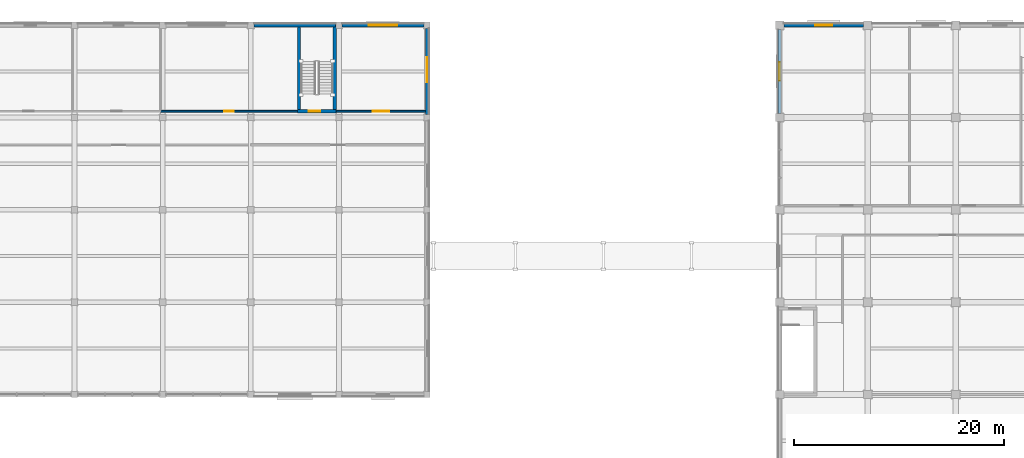
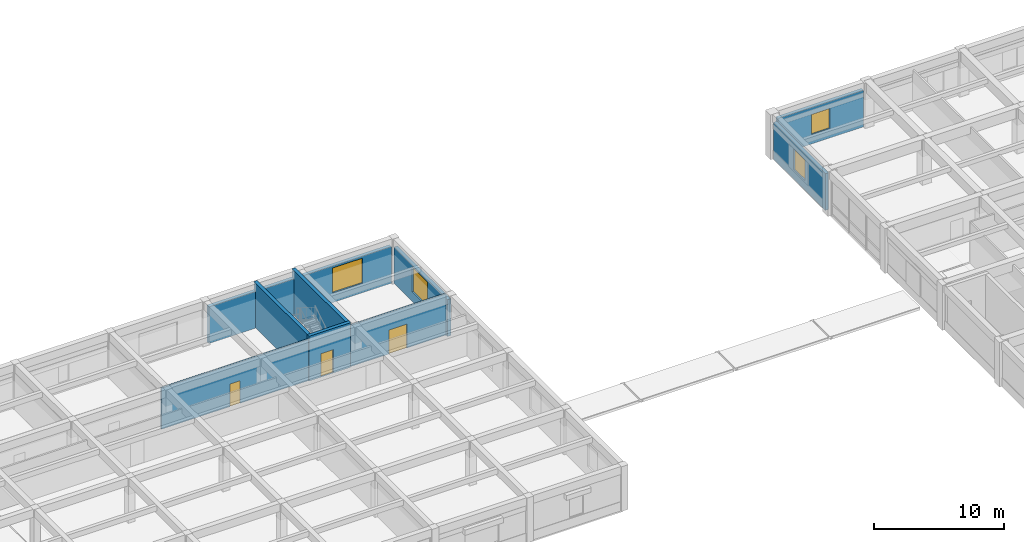
# One storey, part 34 of 46: 10 walls, 4 windows, 3 doors, 7 openings.
"""IFC4 building model written with IfcOpenShell, lengths in metres."""

from ifc_helpers import new_model, si_unit, direction, frame, frame_2d, origin, place, context, subcontext, project, spatial, rectangle, extrude, material, layer, layer_set, type_object, element, fill, save


model = new_model("IFC4")

# Units and contexts
model_context = context("Model", 3, precision=1e-05, world=origin(), true_north=direction((0.0, 1.0)))
body_context = subcontext(model_context, "Body", "Model", "MODEL_VIEW")
ifc_project = project(units=[si_unit("LENGTHUNIT", "METRE"), si_unit("AREAUNIT", "SQUARE_METRE"), si_unit("VOLUMEUNIT", "CUBIC_METRE"), si_unit("PLANEANGLEUNIT", "RADIAN"), si_unit("MASSUNIT", "GRAM", prefix="KILO")], contexts=[model_context])

# Site, building, storey
site_placement = place(None, origin())
site = spatial("IfcSite", under=ifc_project, at=site_placement, CompositionType="ELEMENT")
building_placement = place(site_placement, origin())
building = spatial("IfcBuilding", under=site, at=building_placement, Name="Kemercrest Conservatory and Botanical Centre", CompositionType="ELEMENT")
storey_placement = place(building_placement, frame((0.0, 0.0, 9.0)))
storey = spatial("IfcBuildingStorey", under=building, at=storey_placement, Name="L02", CompositionType="ELEMENT", Elevation=9.0)

# Wall
ifc_material_1 = material(Name="Precast concrete C40/50", Category="concrete")
ifc_layer_1 = layer(ifc_material_1, 0.300048828125)
ifc_layer_set_1 = layer_set([ifc_layer_1], Name="Precast concrete C40/50")
wall_type_1 = type_object("IfcWallType", Name="CW-EXT300", PredefinedType="SHEAR", material=ifc_layer_set_1)
wall_1_placement = place(storey_placement, frame((83.2900390625, 122.39990234375, 0.0), z_axis=(0.0, 0.0, 1.0), x_axis=(-1.0, 0.0, 0.0)))
element("IfcWall", 1, at=wall_1_placement, inside=storey, type_object=wall_type_1, Name="Exterior stair-core shear wall CW-EXT300 (WAL:L02:EXT-126)", PredefinedType="SHEAR", context=body_context, shape_type="SweptSolid", body=[
    extrude(rectangle(XDim=7.780029296875, YDim=0.300048828125, at=frame_2d((3.89013671875, 0.0))), origin(), (0.0, 0.0, 1.0), 3.449951171875),
])

# Wall, opening, door
ifc_material_2 = material(Name="Concrete C50/60", Category="concrete")
ifc_layer_2 = layer(ifc_material_2, 0.300048828125)
ifc_layer_set_2 = layer_set([ifc_layer_2], Name="Concrete C50/60")
wall_type_2 = type_object("IfcWallType", Name="CW-STAIR", PredefinedType="SHEAR", material=ifc_layer_set_2)
wall_2_placement = place(storey_placement, frame((79.64990234375, 114.199951171875, 0.0), z_axis=(0.0, 0.0, 1.0), x_axis=(1.0, 0.0, 0.0)))
wall_2 = element("IfcWall", 2, at=wall_2_placement, inside=storey, type_object=wall_type_2, Name="Stair core ST-V3B shear wall S", PredefinedType="SHEAR", context=body_context, shape_type="SweptSolid", body=[
    extrude(rectangle(XDim=3.7001953125, YDim=0.300048828125, at=frame_2d((1.85009765625, 0.0))), origin(), (0.0, 0.0, 1.0), 4.199951171875),
])
opening_1_placement = place(wall_2_placement, frame((1.050048828125, 0.0, 0.0)))
opening_1 = element("IfcOpeningElement", 3, at=opening_1_placement, cuts=wall_2, Name="Opening D023", PredefinedType="OPENING", context=body_context, shape_type="SweptSolid", body=[
    extrude(rectangle(XDim=1.10009765625, YDim=2.199951171875, at=frame_2d((0.550048828125, 1.10009765625))), frame((0.0, 0.16015625, 0.0), z_axis=(0.0, -1.0, 0.0), x_axis=(1.0, 0.0, 0.0)), (0.0, 0.0, 1.0), 0.320068359375),
])
ifc_material_3 = material(Name="Powder-coated galvanized steel and fire-rated vision glass", Category="steel")
door_type_1 = type_object("IfcDoorType", Name="DT-FD90", OperationType="NOTDEFINED", PredefinedType="DOOR", material=ifc_material_3)
door_1_placement = place(opening_1_placement, origin())
door_1 = element("IfcDoor", 4, at=door_1_placement, inside=storey, type_object=door_type_1, Name="Exit stair ST-V3B fire door D023", OperationType="SINGLE_SWING_LEFT", OverallHeight=2.199951171875, OverallWidth=1.10009765625, PredefinedType="DOOR", context=body_context, shape_type="SweptSolid", body=[
    extrude(rectangle(XDim=1.10009765625, YDim=2.199951171875, at=frame_2d((0.550048828125, 1.10009765625))), frame((0.0, 0.02490234375, 0.0), z_axis=(0.0, -1.0, 0.0), x_axis=(1.0, 0.0, 0.0)), (0.0, 0.0, 1.0), 0.050048828125),
])
fill(opening_1, door_1)

# Walls
for number, where, z_axis, x_axis, name in (
    (5, (79.800048828125, 114.050048828125, 0.0), (0.0, 0.0, 1.0), (0.0, 1.0, 0.0), "Stair core ST-V3B shear wall W"),
    (6, (83.199951171875, 114.050048828125, 0.0), (0.0, 0.0, 1.0), (0.0, 1.0, 0.0), "Stair core ST-V3B shear wall E"),
):
    element("IfcWall", number, at=place(storey_placement, frame(where, z_axis=z_axis, x_axis=x_axis)), inside=storey, type_object=wall_type_2, Name=name, PredefinedType="SHEAR", context=body_context, shape_type="SweptSolid", body=[
        extrude(rectangle(XDim=8.5, YDim=0.300048828125, at=frame_2d((4.25, 0.0))), origin(), (0.0, 0.0, 1.0), 4.199951171875),
    ])

# Wall, opening, window
ifc_layer_3 = layer(ifc_material_1, 0.300048828125)
ifc_layer_set_3 = layer_set([ifc_layer_3], Name="Precast concrete C40/50")
wall_type_3 = type_object("IfcWallType", Name="W-EXT300", PredefinedType="SOLIDWALL", material=ifc_layer_set_3)
wall_3_placement = place(storey_placement, frame((92.0, 113.909912109375, 0.0), z_axis=(0.0, 0.0, 1.0), x_axis=(0.0, 1.0, 0.0)))
wall_3 = element("IfcWall", 7, at=wall_3_placement, inside=storey, type_object=wall_type_3, Name="Exterior almasik wall W-EXT300 (WAL:L02:EXT-124)", PredefinedType="SOLIDWALL", context=body_context, shape_type="SweptSolid", body=[
    extrude(rectangle(XDim=8.18017578125, YDim=0.300048828125, at=frame_2d((4.090087890625, 0.0))), origin(), (0.0, 0.0, 1.0), 3.449951171875),
])
opening_2_placement = place(wall_3_placement, frame((3.034912109375, 0.0, 0.89990234375)))
opening_2 = element("IfcOpeningElement", 8, at=opening_2_placement, cuts=wall_3, Name="Opening WT-17", PredefinedType="OPENING", context=body_context, shape_type="SweptSolid", body=[
    extrude(rectangle(XDim=2.39990234375, YDim=2.35009765625, at=frame_2d((1.199951171875, 1.175048828125))), frame((0.0, 0.16015625, 0.0), z_axis=(0.0, -1.0, 0.0), x_axis=(1.0, 0.0, 0.0)), (0.0, 0.0, 1.0), 0.320068359375),
])
ifc_material_4 = material(Name="Thermally broken bronze-anodized aluminium and triple glazing", Category="aluminium")
window_type_1 = type_object("IfcWindowType", Name="WT-17", PartitioningType="SINGLE_PANEL", PredefinedType="WINDOW", material=ifc_material_4)
window_1_placement = place(opening_2_placement, origin())
window_1 = element("IfcWindow", 9, at=window_1_placement, inside=storey, type_object=window_type_1, Name="Exterior window WT-17 (WIN:L02:EXT-124)", OverallHeight=2.35009765625, OverallWidth=2.39990234375, PartitioningType="SINGLE_PANEL", PredefinedType="WINDOW", context=body_context, shape_type="SweptSolid", body=[
    extrude(rectangle(XDim=2.39990234375, YDim=2.35009765625, at=frame_2d((1.199951171875, 1.175048828125))), frame((0.0, 0.030029296875, 0.0), z_axis=(0.0, -1.0, 0.0), x_axis=(1.0, 0.0, 0.0)), (0.0, 0.0, 1.0), 0.06005859375),
])
fill(opening_2, window_1)

wall_4_placement = place(storey_placement, frame((91.68994140625, 122.39990234375, 0.0), z_axis=(0.0, 0.0, 1.0), x_axis=(-1.0, 0.0, 0.0)))
wall_4 = element("IfcWall", 10, at=wall_4_placement, inside=storey, type_object=wall_type_3, Name="Exterior almasik wall W-EXT300 (WAL:L02:EXT-125)", PredefinedType="SOLIDWALL", context=body_context, shape_type="SweptSolid", body=[
    extrude(rectangle(XDim=7.780029296875, YDim=0.300048828125, at=frame_2d((3.89013671875, 0.0))), origin(), (0.0, 0.0, 1.0), 3.449951171875),
])
opening_3_placement = place(wall_4_placement, frame((2.5400390625, 0.0, 0.89990234375)))
opening_3 = element("IfcOpeningElement", 11, at=opening_3_placement, cuts=wall_4, Name="Opening WT-18", PredefinedType="OPENING", context=body_context, shape_type="SweptSolid", body=[
    extrude(rectangle(XDim=2.699951171875, YDim=2.35009765625, at=frame_2d((1.35009765625, 1.175048828125))), frame((0.0, 0.16015625, 0.0), z_axis=(0.0, -1.0, 0.0), x_axis=(1.0, 0.0, 0.0)), (0.0, 0.0, 1.0), 0.320068359375),
])
window_type_2 = type_object("IfcWindowType", Name="WT-18", PartitioningType="SINGLE_PANEL", PredefinedType="WINDOW", material=ifc_material_4)
window_2_placement = place(opening_3_placement, origin())
window_2 = element("IfcWindow", 12, at=window_2_placement, inside=storey, type_object=window_type_2, Name="Exterior window WT-18 (WIN:L02:EXT-125)", OverallHeight=2.35009765625, OverallWidth=2.699951171875, PartitioningType="SINGLE_PANEL", PredefinedType="WINDOW", context=body_context, shape_type="SweptSolid", body=[
    extrude(rectangle(XDim=2.699951171875, YDim=2.35009765625, at=frame_2d((1.35009765625, 1.175048828125))), frame((0.0, 0.030029296875, 0.0), z_axis=(0.0, -1.0, 0.0), x_axis=(1.0, 0.0, 0.0)), (0.0, 0.0, 1.0), 0.06005859375),
])
fill(opening_3, window_2)

wall_5_placement = place(storey_placement, frame((133.590087890625, 122.39990234375, 0.0), z_axis=(0.0, 0.0, 1.0), x_axis=(-1.0, 0.0, 0.0)))
wall_5 = element("IfcWall", 13, at=wall_5_placement, inside=storey, type_object=wall_type_3, Name="Exterior almasik wall W-EXT300 (WAL:L02:EXT-203)", PredefinedType="SOLIDWALL", context=body_context, shape_type="SweptSolid", body=[
    extrude(rectangle(XDim=7.580078125, YDim=0.300048828125, at=frame_2d((3.7900390625, 0.0))), origin(), (0.0, 0.0, 1.0), 3.449951171875),
])
opening_4_placement = place(wall_5_placement, frame((2.97998046875, 0.0, 0.89990234375)))
opening_4 = element("IfcOpeningElement", 14, at=opening_4_placement, cuts=wall_5, Name="Opening WT-48", PredefinedType="OPENING", context=body_context, shape_type="SweptSolid", body=[
    extrude(rectangle(XDim=1.6201171875, YDim=1.8798828125, at=frame_2d((0.81005859375, 0.93994140625))), frame((0.0, 0.16015625, 0.0), z_axis=(0.0, -1.0, 0.0), x_axis=(1.0, 0.0, 0.0)), (0.0, 0.0, 1.0), 0.320068359375),
])
window_type_3 = type_object("IfcWindowType", Name="WT-48", PartitioningType="SINGLE_PANEL", PredefinedType="WINDOW", material=ifc_material_4)
window_3_placement = place(opening_4_placement, origin())
window_3 = element("IfcWindow", 15, at=window_3_placement, inside=storey, type_object=window_type_3, Name="Exterior window WT-48 (WIN:L02:EXT-203)", OverallHeight=1.8798828125, OverallWidth=1.6201171875, PartitioningType="SINGLE_PANEL", PredefinedType="WINDOW", context=body_context, shape_type="SweptSolid", body=[
    extrude(rectangle(XDim=1.6201171875, YDim=1.8798828125, at=frame_2d((0.81005859375, 0.93994140625))), frame((0.0, 0.030029296875, 0.0), z_axis=(0.0, -1.0, 0.0), x_axis=(1.0, 0.0, 0.0)), (0.0, 0.0, 1.0), 0.06005859375),
])
fill(opening_4, window_3)

wall_6_placement = place(storey_placement, frame((125.60009765625, 121.989990234375, 0.0), z_axis=(0.0, 0.0, 1.0), x_axis=(0.0, -1.0, 0.0)))
wall_6 = element("IfcWall", 16, at=wall_6_placement, inside=storey, type_object=wall_type_3, Name="Exterior almasik wall W-EXT300 (WAL:L02:EXT-204)", PredefinedType="SOLIDWALL", context=body_context, shape_type="SweptSolid", body=[
    extrude(rectangle(XDim=7.97998046875, YDim=0.300048828125, at=frame_2d((3.989990234375, 0.0))), origin(), (0.0, 0.0, 1.0), 3.449951171875),
])
opening_5_placement = place(wall_6_placement, frame((3.110107421875, 0.0, 0.89990234375)))
opening_5 = element("IfcOpeningElement", 17, at=opening_5_placement, cuts=wall_6, Name="Opening WT-49", PredefinedType="OPENING", context=body_context, shape_type="SweptSolid", body=[
    extrude(rectangle(XDim=1.760009765625, YDim=1.93994140625, at=frame_2d((0.8798828125, 0.969970703125))), frame((0.0, 0.16015625, 0.0), z_axis=(0.0, -1.0, 0.0), x_axis=(1.0, 0.0, 0.0)), (0.0, 0.0, 1.0), 0.320068359375),
])
window_type_4 = type_object("IfcWindowType", Name="WT-49", PartitioningType="SINGLE_PANEL", PredefinedType="WINDOW", material=ifc_material_4)
window_4_placement = place(opening_5_placement, origin())
window_4 = element("IfcWindow", 18, at=window_4_placement, inside=storey, type_object=window_type_4, Name="Exterior window WT-49 (WIN:L02:EXT-204)", OverallHeight=1.93994140625, OverallWidth=1.760009765625, PartitioningType="SINGLE_PANEL", PredefinedType="WINDOW", context=body_context, shape_type="SweptSolid", body=[
    extrude(rectangle(XDim=1.760009765625, YDim=1.93994140625, at=frame_2d((0.8798828125, 0.969970703125))), frame((0.0, 0.030029296875, 0.0), z_axis=(0.0, -1.0, 0.0), x_axis=(1.0, 0.0, 0.0)), (0.0, 0.0, 1.0), 0.06005859375),
])
fill(opening_5, window_4)

# Wall, opening, door
ifc_material_5 = material(Name="Steel-stud gypsum board partition", Category="steel")
ifc_layer_4 = layer(ifc_material_5, 0.14990234375)
ifc_layer_set_4 = layer_set([ifc_layer_4], Name="Steel-stud gypsum board partition")
wall_type_4 = type_object("IfcWallType", Name="W-PART150", PredefinedType="PARTITIONING", material=ifc_layer_set_4)
wall_7_placement = place(storey_placement, frame((66.60009765625, 114.199951171875, 0.0), z_axis=(0.0, 0.0, 1.0), x_axis=(1.0, 0.0, 0.0)))
wall_7 = element("IfcWall", 19, at=wall_7_placement, inside=storey, type_object=wall_type_4, Name="Interior partition W-PART150 #116", PredefinedType="PARTITIONING", context=body_context, shape_type="SweptSolid", body=[
    extrude(rectangle(XDim=13.044921875, YDim=0.14990234375, at=frame_2d((6.5224609375, 0.0))), origin(), (0.0, 0.0, 1.0), 3.864990234375),
])
opening_6_placement = place(wall_7_placement, frame((6.072509765625, 0.0, 0.0)))
opening_6 = element("IfcOpeningElement", 20, at=opening_6_placement, cuts=wall_7, Name="Opening D174", PredefinedType="OPENING", context=body_context, shape_type="SweptSolid", body=[
    extrude(rectangle(XDim=0.89990234375, YDim=2.1201171875, at=frame_2d((0.449951171875, 1.06005859375))), frame((0.0, 0.0849609375, 0.0), z_axis=(0.0, -1.0, 0.0), x_axis=(1.0, 0.0, 0.0)), (0.0, 0.0, 1.0), 0.169921875),
])
ifc_material_6 = material(Name="FSC solid-core white oak veneer and anodized aluminium frame", Category="aluminium")
door_type_2 = type_object("IfcDoorType", Name="DT-21", OperationType="NOTDEFINED", PredefinedType="DOOR", material=ifc_material_6)
door_2_placement = place(opening_6_placement, origin())
door_2 = element("IfcDoor", 21, at=door_2_placement, inside=storey, type_object=door_type_2, Name="Exhibition Conservation Studio door D174", OperationType="SINGLE_SWING_RIGHT", OverallHeight=2.1201171875, OverallWidth=0.89990234375, PredefinedType="DOOR", context=body_context, shape_type="SweptSolid", body=[
    extrude(rectangle(XDim=0.89990234375, YDim=2.1201171875, at=frame_2d((0.449951171875, 1.06005859375))), frame((0.0, 0.02490234375, 0.0), z_axis=(0.0, -1.0, 0.0), x_axis=(1.0, 0.0, 0.0)), (0.0, 0.0, 1.0), 0.050048828125),
])
fill(opening_6, door_2)

wall_8_placement = place(storey_placement, frame((83.35498046875, 114.199951171875, 0.0), z_axis=(0.0, 0.0, 1.0), x_axis=(1.0, 0.0, 0.0)))
wall_8 = element("IfcWall", 22, at=wall_8_placement, inside=storey, type_object=wall_type_4, Name="Interior partition W-PART150 #117", PredefinedType="PARTITIONING", context=body_context, shape_type="SweptSolid", body=[
    extrude(rectangle(XDim=8.489990234375, YDim=0.14990234375, at=frame_2d((4.2451171875, 0.0))), origin(), (0.0, 0.0, 1.0), 3.864990234375),
])
opening_7_placement = place(wall_8_placement, frame((3.455078125, 0.0, 0.0)))
opening_7 = element("IfcOpeningElement", 23, at=opening_7_placement, cuts=wall_8, Name="Opening D175", PredefinedType="OPENING", context=body_context, shape_type="SweptSolid", body=[
    extrude(rectangle(XDim=1.580078125, YDim=2.25, at=frame_2d((0.7900390625, 1.125))), frame((0.0, 0.0849609375, 0.0), z_axis=(0.0, -1.0, 0.0), x_axis=(1.0, 0.0, 0.0)), (0.0, 0.0, 1.0), 0.169921875),
])
door_type_3 = type_object("IfcDoorType", Name="DT-10", OperationType="DOUBLE_DOOR_SINGLE_SWING", PredefinedType="DOOR", material=ifc_material_6)
door_3_placement = place(opening_7_placement, origin())
door_3 = element("IfcDoor", 24, at=door_3_placement, inside=storey, type_object=door_type_3, Name="Gallery Curator Office door D175", OperationType="DOUBLE_DOOR_SINGLE_SWING", OverallHeight=2.25, OverallWidth=1.580078125, PredefinedType="DOOR", context=body_context, shape_type="SweptSolid", body=[
    extrude(rectangle(XDim=1.580078125, YDim=2.25, at=frame_2d((0.7900390625, 1.125))), frame((0.0, 0.02490234375, 0.0), z_axis=(0.0, -1.0, 0.0), x_axis=(1.0, 0.0, 0.0)), (0.0, 0.0, 1.0), 0.050048828125),
])
fill(opening_7, door_3)

save(model, "model.ifc")
